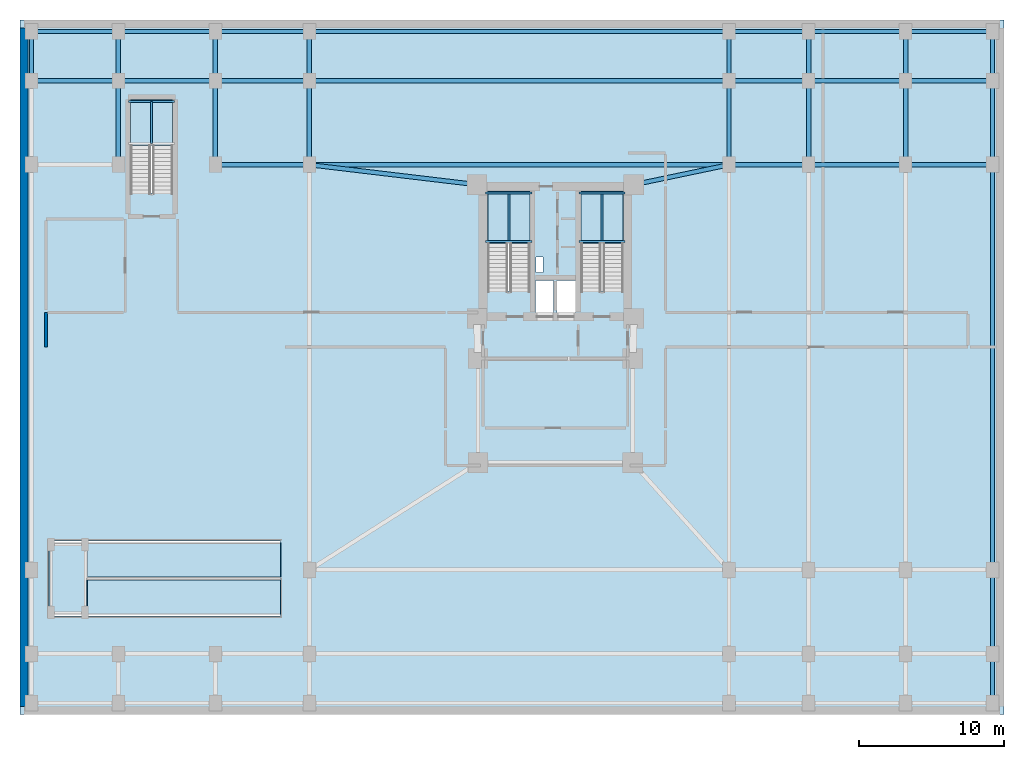
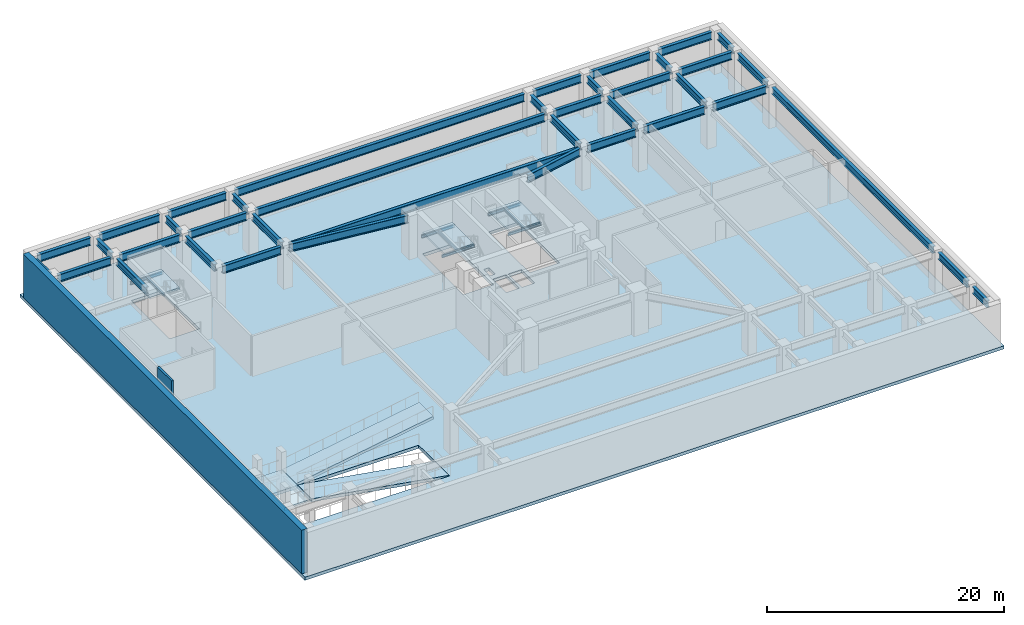
# One storey, part 2 of 8: 47 beams, 7 slabs, 2 walls, 3 elements without a shape of their own.
"""IFC4 building model written with IfcOpenShell, lengths in metres."""

import ifcopenshell
import ifcopenshell.guid

model = None  # the IFC model being written
_history = None  # IfcOwnerHistory: only IFC2X3 demands one
_inside = {}  # id of a spatial element -> (the spatial element, [elements in it])
_under = {}  # id of a project, library or spatial element -> (it, [spatial elements below it])
_declared = {}  # id of a project -> (the project, [libraries it declares])
_typed = {}  # id of a type object -> (the type object, [elements of that type])
_made_of = {}  # id of a material, layer set ... -> (it, [elements and type objects made of it])


def new_model(schema):
    """Start an empty IFC model of exactly this schema.

    Asked for "IFC4X3", IfcOpenShell would pick the latest addendum, in which some entities
    have other attributes; the version numbers below select the first issue.
    IFC2X3 requires an IfcOwnerHistory on every rooted entity: one is made here for all.
    """
    global model, _history
    if schema == "IFC4X3":
        model = ifcopenshell.file(schema_version=(4, 3, 0, 0))
    else:
        model = ifcopenshell.file(schema=schema)
    _inside.clear()
    _under.clear()
    _declared.clear()
    _typed.clear()
    _made_of.clear()
    _history = None
    if model.schema == "IFC2X3":
        org = make("IfcOrganization", Name="unknown")
        user = make(
            "IfcPersonAndOrganization",
            ThePerson=make("IfcPerson", FamilyName="unknown"),
            TheOrganization=org,
        )
        app = make(
            "IfcApplication",
            ApplicationDeveloper=org,
            Version="unknown",
            ApplicationFullName="unknown",
            ApplicationIdentifier="unknown",
        )
        _history = make(
            "IfcOwnerHistory",
            OwningUser=user,
            OwningApplication=app,
            ChangeAction="ADDED",
            CreationDate=0,
        )
    return model


def make(cls, **values):
    """One entity of the class cls with the attributes given. An attribute that is None is left unset."""
    return model.create_entity(
        cls, **{name: value for name, value in values.items() if value is not None}
    )


def rooted(cls, **values):
    """An entity with a GlobalId (a new one), such as an element, a storey or a relation."""
    return make(cls, GlobalId=ifcopenshell.guid.new(), OwnerHistory=_history, **values)


def si_unit(unit_type, name, prefix=None):
    """IfcSIUnit, for example si_unit("LENGTHUNIT", "METRE", prefix="MILLI")."""
    return make("IfcSIUnit", UnitType=unit_type, Prefix=prefix, Name=name)


def assignment(units):
    """IfcUnitAssignment: the units of a project."""
    return None if units is None else make("IfcUnitAssignment", Units=units)


def point(xyz):
    """IfcCartesianPoint."""
    return None if xyz is None else make("IfcCartesianPoint", Coordinates=xyz)


def direction(xyz):
    """IfcDirection."""
    return None if xyz is None else make("IfcDirection", DirectionRatios=xyz)


def frame(location, z_axis=None, x_axis=None):
    """IfcAxis2Placement3D, a coordinate frame: its origin and axes. An axis left out is left unset."""
    return make(
        "IfcAxis2Placement3D",
        Location=point(location),
        Axis=direction(z_axis),
        RefDirection=direction(x_axis),
    )


def frame_2d(location, x_axis=None):
    """IfcAxis2Placement2D, a coordinate frame in the plane: its origin and x axis."""
    return make(
        "IfcAxis2Placement2D", Location=point(location), RefDirection=direction(x_axis)
    )


def origin():
    """The frame at (0, 0, 0) with its axes left unset."""
    return frame((0.0, 0.0, 0.0))


def origin_2d():
    """The frame at (0, 0) in the plane with its x axis left unset."""
    return frame_2d((0.0, 0.0))


def place(relative_to, where):
    """IfcLocalPlacement: puts the frame where relative to a parent placement (None: the world)."""
    return make(
        "IfcLocalPlacement", PlacementRelTo=relative_to, RelativePlacement=where
    )


def context(
    kind, dimensions, precision=None, world=None, true_north=None, identifier=None
):
    """IfcGeometricRepresentationContext, for example the 3D "Model" context."""
    return make(
        "IfcGeometricRepresentationContext",
        ContextIdentifier=identifier,
        ContextType=kind,
        CoordinateSpaceDimension=dimensions,
        Precision=precision,
        WorldCoordinateSystem=world,
        TrueNorth=true_north,
    )


def subcontext(parent, identifier, kind, view, scale=None):
    """IfcGeometricRepresentationSubContext, for example "Body" below "Model"."""
    return make(
        "IfcGeometricRepresentationSubContext",
        ContextIdentifier=identifier,
        ContextType=kind,
        ParentContext=parent,
        TargetScale=scale,
        TargetView=view,
    )


def project(units=None, contexts=None):
    """IfcProject with its units and contexts."""
    return rooted(
        "IfcProject",
        Name="project",
        RepresentationContexts=contexts,
        UnitsInContext=assignment(units),
    )


def spatial(cls, under=None, at=None, **own):
    """A site, building, storey or space (cls), placed at a placement, below another one or the project."""
    s = rooted(cls, ObjectPlacement=at, **own)
    if under is not None:
        _under.setdefault(under.id(), (under, []))[1].append(s)
    return s


def polyline(points):
    """IfcPolyline through the points."""
    return make("IfcPolyline", Points=[point(p) for p in points])


def profile(cls, at=None, kind="AREA", **sizes):
    """A parametric profile (cls). Its sizes go by their IFC names, for example OverallWidth=200.0."""
    return make(cls, ProfileType=kind, Position=at, **sizes)


def rectangle(**sizes):
    """IfcRectangleProfileDef."""
    return profile("IfcRectangleProfileDef", **sizes)


def i_section(**sizes):
    """IfcIShapeProfileDef."""
    return profile("IfcIShapeProfileDef", **sizes)


def outline(outer, holes=None, kind="AREA"):
    """IfcArbitraryClosedProfileDef: a profile drawn as a closed curve; with holes, ...WithVoids."""
    if holes is None:
        return make("IfcArbitraryClosedProfileDef", ProfileType=kind, OuterCurve=outer)
    return make(
        "IfcArbitraryProfileDefWithVoids",
        ProfileType=kind,
        OuterCurve=outer,
        InnerCurves=holes,
    )


def extrude(swept, where, along, depth):
    """IfcExtrudedAreaSolid: the profile swept, set in the frame where, extruded along a direction by depth."""
    return make(
        "IfcExtrudedAreaSolid",
        SweptArea=swept,
        Position=where,
        ExtrudedDirection=direction(along),
        Depth=depth,
    )


def shape(context_of_items, identifier, shape_type, items):
    """IfcShapeRepresentation: the items that make up one representation, for example the "Body"."""
    return make(
        "IfcShapeRepresentation",
        ContextOfItems=context_of_items,
        RepresentationIdentifier=identifier,
        RepresentationType=shape_type,
        Items=items,
    )


def material(Name=None, Category=None):
    """IfcMaterial."""
    return make("IfcMaterial", Name=Name, Category=Category)


def layer(
    of_material, thickness, ventilated=None, Name=None, Category=None, Priority=None
):
    """IfcMaterialLayer: one layer of a wall or slab, of a material (None: an air gap)."""
    return make(
        "IfcMaterialLayer",
        Material=of_material,
        LayerThickness=thickness,
        IsVentilated=ventilated,
        Name=Name,
        Category=Category,
        Priority=Priority,
    )


def layer_set(layers, Name=None):
    """IfcMaterialLayerSet."""
    return make("IfcMaterialLayerSet", MaterialLayers=layers, LayerSetName=Name)


def material_profile(
    of_material, cross_section, Name=None, Category=None, Priority=None
):
    """IfcMaterialProfile: a cross section and its material."""
    return make(
        "IfcMaterialProfile",
        Name=Name,
        Material=of_material,
        Profile=cross_section,
        Priority=Priority,
        Category=Category,
    )


def profile_set(profiles, Name=None, composite=None):
    """IfcMaterialProfileSet."""
    return make(
        "IfcMaterialProfileSet",
        Name=Name,
        MaterialProfiles=profiles,
        CompositeProfile=composite,
    )


def made_of(thing, what):
    """Note that an element or type object is made of a material, layer set ...; save() writes the relation."""
    if what is not None:
        _made_of.setdefault(what.id(), (what, []))[1].append(thing)
    return thing


def type_object(cls, material=None, **own):
    """A type object (cls), such as IfcWallType, which elements share."""
    return made_of(rooted(cls, **own), material)


def element(
    cls,
    number,
    at=None,
    inside=None,
    cuts=None,
    type_object=None,
    material=None,
    context=None,
    identifier="Body",
    shape_type=None,
    held_by="IfcProductDefinitionShape",
    body=None,
    shapes=None,
    **own,
):
    """One element of the class cls, such as IfcWall. Its Tag is "e" and its number.

    at: its placement. inside: the storey or other place that contains it. cuts: it is an
    opening in that element (IfcRelVoidsElement). A single representation is given by context,
    identifier, shape_type and body (its items); several are given by shapes. held_by: the class
    of the entity that holds the representations. save() writes the other relations.
    """
    e = rooted(cls, Tag="e%d" % number, ObjectPlacement=at, **own)
    if body is not None:
        shapes = [shape(context, identifier, shape_type, body)]
    if shapes is not None:
        e.Representation = make(held_by, Representations=shapes)
    if inside is not None:
        _inside.setdefault(inside.id(), (inside, []))[1].append(e)
    if cuts is not None:
        rooted(
            "IfcRelVoidsElement", RelatingBuildingElement=cuts, RelatedOpeningElement=e
        )
    if type_object is not None:
        _typed.setdefault(type_object.id(), (type_object, []))[1].append(e)
    return made_of(e, material)


def aggregate(whole, parts):
    """IfcRelAggregates: a whole, such as a stair, and the parts it consists of."""
    return rooted("IfcRelAggregates", RelatingObject=whole, RelatedObjects=parts)


def save(model, path):
    """Write the relations noted so far, then the file.

    IfcRelAggregates (storeys below a building ...), IfcRelContainedInSpatialStructure (elements
    in a storey), IfcRelDefinesByType, IfcRelAssociatesMaterial and IfcRelDeclares: one each for
    every whole, place, type object, material and project.
    """
    for whole, parts in _under.values():
        aggregate(whole, parts)
    for where, things in _inside.values():
        rooted(
            "IfcRelContainedInSpatialStructure",
            RelatedElements=things,
            RelatingStructure=where,
        )
    for kind, things in _typed.values():
        rooted("IfcRelDefinesByType", RelatedObjects=things, RelatingType=kind)
    for what, things in _made_of.values():
        rooted("IfcRelAssociatesMaterial", RelatedObjects=things, RelatingMaterial=what)
    for by, libraries in _declared.values():
        rooted("IfcRelDeclares", RelatingContext=by, RelatedDefinitions=libraries)
    model.write(path)


model = new_model("IFC4")

# Units and contexts
model_context = context("Model", 3, precision=1e-05, world=origin(), true_north=direction((0.0, 1.0)))
body_context = subcontext(model_context, "Body", "Model", "MODEL_VIEW")
ifc_project = project(units=[si_unit("LENGTHUNIT", "METRE"), si_unit("AREAUNIT", "SQUARE_METRE"), si_unit("VOLUMEUNIT", "CUBIC_METRE"), si_unit("PLANEANGLEUNIT", "RADIAN"), si_unit("MASSUNIT", "GRAM", prefix="KILO")], contexts=[model_context])

# Site, building, storey
site_placement = place(None, origin())
site = spatial("IfcSite", under=ifc_project, at=site_placement, CompositionType="ELEMENT")
building_placement = place(site_placement, origin())
building = spatial("IfcBuilding", under=site, at=building_placement, Name="Varnakorn Sky Granary", CompositionType="ELEMENT")
storey_placement = place(building_placement, frame((0.0, 0.0, -4.5)))
storey = spatial("IfcBuildingStorey", under=building, at=storey_placement, Name="B01", CompositionType="ELEMENT", Elevation=-4.5)

# Beams
ifc_material_1 = material(Name="Steel S355JR", Category="steel")
ifc_material_profile_1 = material_profile(ifc_material_1, i_section(OverallWidth=0.135009765625, OverallDepth=0.27001953125, WebThickness=0.006591796875, FlangeThickness=0.01025390625, at=origin_2d()), Name="IPE 270")
ifc_profile_set_1 = profile_set([ifc_material_profile_1], Name="Steel S355JR")
beam_type_1 = type_object("IfcBeamType", Name="BM-LND-270", PredefinedType="BEAM", material=ifc_profile_set_1)
for number, where, z_axis, x_axis, name in (
    (1, (-1.820068359375, 8.679931640625, 1.9150390625), (1.0, 0.0, 0.0), (0.0, 1.0, 0.0), "Stair ST-1 Landing Trimmer Beam A B01-1"),
    (2, (-1.820068359375, 12.06005859375, 1.9150390625), (1.0, 0.0, 0.0), (0.0, 1.0, 0.0), "Stair ST-1 Landing Trimmer Beam B B01-1"),
):
    element("IfcBeam", number, at=place(storey_placement, frame(where, z_axis=z_axis, x_axis=x_axis)), inside=storey, type_object=beam_type_1, Name=name, PredefinedType="BEAM", context=body_context, shape_type="SweptSolid", body=[
        extrude(i_section(OverallWidth=0.135009765625, OverallDepth=0.27001953125, WebThickness=0.006591796875, FlangeThickness=0.01025390625, at=origin_2d()), origin(), (0.0, 0.0, 1.0), 3.199951171875),
    ])
beam_1_placement = place(storey_placement, frame((-0.219970703125, 8.679931640625, 1.9150390625), z_axis=(0.0, 1.0, 0.0), x_axis=(-1.0, 0.0, 0.0)))
element("IfcBeam", 3, at=beam_1_placement, inside=storey, type_object=beam_type_1, Name="Stair ST-1 Landing Cross Beam C B01-1", PredefinedType="BEAM", context=body_context, shape_type="SweptSolid", body=[
    extrude(i_section(OverallWidth=0.135009765625, OverallDepth=0.27001953125, WebThickness=0.006591796875, FlangeThickness=0.01025390625, at=origin_2d()), origin(), (0.0, 0.0, 1.0), 3.380126953125),
])
for number, where, z_axis, x_axis, name in (
    (4, (4.6201171875, 8.679931640625, 1.9150390625), (1.0, 0.0, 0.0), (0.0, 1.0, 0.0), "Stair ST-2 Landing Trimmer Beam A B01-1"),
    (5, (4.6201171875, 12.06005859375, 1.9150390625), (1.0, 0.0, 0.0), (0.0, 1.0, 0.0), "Stair ST-2 Landing Trimmer Beam B B01-1"),
):
    element("IfcBeam", number, at=place(storey_placement, frame(where, z_axis=z_axis, x_axis=x_axis)), inside=storey, type_object=beam_type_1, Name=name, PredefinedType="BEAM", context=body_context, shape_type="SweptSolid", body=[
        extrude(i_section(OverallWidth=0.135009765625, OverallDepth=0.27001953125, WebThickness=0.006591796875, FlangeThickness=0.01025390625, at=origin_2d()), origin(), (0.0, 0.0, 1.0), 3.199951171875),
    ])
beam_2_placement = place(storey_placement, frame((6.219970703125, 8.679931640625, 1.9150390625), z_axis=(0.0, 1.0, 0.0), x_axis=(-1.0, 0.0, 0.0)))
element("IfcBeam", 6, at=beam_2_placement, inside=storey, type_object=beam_type_1, Name="Stair ST-2 Landing Cross Beam C B01-1", PredefinedType="BEAM", context=body_context, shape_type="SweptSolid", body=[
    extrude(i_section(OverallWidth=0.135009765625, OverallDepth=0.27001953125, WebThickness=0.006591796875, FlangeThickness=0.01025390625, at=origin_2d()), origin(), (0.0, 0.0, 1.0), 3.380126953125),
])
beam_3_placement = place(storey_placement, frame((-26.5, 18.3798828125, 1.9150390625), z_axis=(1.0, 0.0, 0.0), x_axis=(0.0, 1.0, 0.0)))
element("IfcBeam", 7, at=beam_3_placement, inside=storey, type_object=beam_type_1, Name="Stair ST-B3 Landing Trimmer Beam B B01-1", PredefinedType="BEAM", context=body_context, shape_type="SweptSolid", body=[
    extrude(i_section(OverallWidth=0.135009765625, OverallDepth=0.27001953125, WebThickness=0.006591796875, FlangeThickness=0.01025390625, at=origin_2d()), origin(), (0.0, 0.0, 1.0), 3.179931640625),
])
beam_4_placement = place(storey_placement, frame((-24.909912109375, 15.4599609375, 1.9150390625), z_axis=(0.0, 1.0, 0.0), x_axis=(-1.0, 0.0, 0.0)))
element("IfcBeam", 8, at=beam_4_placement, inside=storey, type_object=beam_type_1, Name="Stair ST-B3 Landing Cross Beam C B01-1", PredefinedType="BEAM", context=body_context, shape_type="SweptSolid", body=[
    extrude(i_section(OverallWidth=0.135009765625, OverallDepth=0.27001953125, WebThickness=0.006591796875, FlangeThickness=0.01025390625, at=origin_2d()), origin(), (0.0, 0.0, 1.0), 2.919921875),
])
ifc_material_profile_2 = material_profile(ifc_material_1, i_section(OverallWidth=0.300048828125, OverallDepth=0.699951171875, WebThickness=0.01708984375, FlangeThickness=0.031982421875, at=origin_2d()), Name="HE 700 B")
ifc_profile_set_2 = profile_set([ifc_material_profile_2], Name="Steel S355JR")
beam_type_2 = type_object("IfcBeamType", Name="BM-PG-700", PredefinedType="T_BEAM", material=ifc_profile_set_2)
beam_5_placement = place(storey_placement, frame((-33.199951171875, 20.219970703125, 3.830078125), z_axis=(0.0, 1.0, 0.0), x_axis=(-1.0, 0.0, 0.0)))
element("IfcBeam", 9, at=beam_5_placement, inside=storey, type_object=beam_type_2, Name="Podium Y-Girder GY43 B01", PredefinedType="T_BEAM", context=body_context, shape_type="SweptSolid", body=[
    extrude(i_section(OverallWidth=0.300048828125, OverallDepth=0.699951171875, WebThickness=0.01708984375, FlangeThickness=0.031982421875, at=origin_2d()), origin(), (0.0, 0.0, 1.0), 2.56005859375),
])
beam_6_placement = place(storey_placement, frame((-27.199951171875, 14.419921875, 3.830078125), z_axis=(0.0, 1.0, 0.0), x_axis=(-1.0, 0.0, 0.0)))
element("IfcBeam", 10, at=beam_6_placement, inside=storey, type_object=beam_type_2, Name="Podium Y-Girder GY45 B01", PredefinedType="T_BEAM", context=body_context, shape_type="SweptSolid", body=[
    extrude(i_section(OverallWidth=0.300048828125, OverallDepth=0.699951171875, WebThickness=0.01708984375, FlangeThickness=0.031982421875, at=origin_2d()), origin(), (0.0, 0.0, 1.0), 4.9599609375),
])
beam_7_placement = place(storey_placement, frame((-27.199951171875, 20.219970703125, 3.830078125), z_axis=(0.0, 1.0, 0.0), x_axis=(-1.0, 0.0, 0.0)))
element("IfcBeam", 11, at=beam_7_placement, inside=storey, type_object=beam_type_2, Name="Podium Y-Girder GY46 B01", PredefinedType="T_BEAM", context=body_context, shape_type="SweptSolid", body=[
    extrude(i_section(OverallWidth=0.300048828125, OverallDepth=0.699951171875, WebThickness=0.01708984375, FlangeThickness=0.031982421875, at=origin_2d()), origin(), (0.0, 0.0, 1.0), 2.56005859375),
])
beam_8_placement = place(storey_placement, frame((-20.5, 14.419921875, 3.830078125), z_axis=(0.0, 1.0, 0.0), x_axis=(-1.0, 0.0, 0.0)))
element("IfcBeam", 12, at=beam_8_placement, inside=storey, type_object=beam_type_2, Name="Podium Y-Girder GY48 B01", PredefinedType="T_BEAM", context=body_context, shape_type="SweptSolid", body=[
    extrude(i_section(OverallWidth=0.300048828125, OverallDepth=0.699951171875, WebThickness=0.01708984375, FlangeThickness=0.031982421875, at=origin_2d()), origin(), (0.0, 0.0, 1.0), 4.9599609375),
])
beam_9_placement = place(storey_placement, frame((-20.5, 20.219970703125, 3.830078125), z_axis=(0.0, 1.0, 0.0), x_axis=(-1.0, 0.0, 0.0)))
element("IfcBeam", 13, at=beam_9_placement, inside=storey, type_object=beam_type_2, Name="Podium Y-Girder GY49 B01", PredefinedType="T_BEAM", context=body_context, shape_type="SweptSolid", body=[
    extrude(i_section(OverallWidth=0.300048828125, OverallDepth=0.699951171875, WebThickness=0.01708984375, FlangeThickness=0.031982421875, at=origin_2d()), origin(), (0.0, 0.0, 1.0), 2.56005859375),
])
beam_10_placement = place(storey_placement, frame((-14.0, 14.419921875, 3.830078125), z_axis=(0.0, 1.0, 0.0), x_axis=(-1.0, 0.0, 0.0)))
element("IfcBeam", 14, at=beam_10_placement, inside=storey, type_object=beam_type_2, Name="Podium Y-Girder GY53 B01", PredefinedType="T_BEAM", context=body_context, shape_type="SweptSolid", body=[
    extrude(i_section(OverallWidth=0.300048828125, OverallDepth=0.699951171875, WebThickness=0.01708984375, FlangeThickness=0.031982421875, at=origin_2d()), origin(), (0.0, 0.0, 1.0), 4.9599609375),
])
beam_11_placement = place(storey_placement, frame((-14.0, 20.219970703125, 3.830078125), z_axis=(0.0, 1.0, 0.0), x_axis=(-1.0, 0.0, 0.0)))
element("IfcBeam", 15, at=beam_11_placement, inside=storey, type_object=beam_type_2, Name="Podium Y-Girder GY54 B01", PredefinedType="T_BEAM", context=body_context, shape_type="SweptSolid", body=[
    extrude(i_section(OverallWidth=0.300048828125, OverallDepth=0.699951171875, WebThickness=0.01708984375, FlangeThickness=0.031982421875, at=origin_2d()), origin(), (0.0, 0.0, 1.0), 2.56005859375),
])
beam_12_placement = place(storey_placement, frame((15.0, 14.419921875, 3.830078125), z_axis=(0.0, 1.0, 0.0), x_axis=(-1.0, 0.0, 0.0)))
element("IfcBeam", 16, at=beam_12_placement, inside=storey, type_object=beam_type_2, Name="Podium Y-Girder GY58 B01", PredefinedType="T_BEAM", context=body_context, shape_type="SweptSolid", body=[
    extrude(i_section(OverallWidth=0.300048828125, OverallDepth=0.699951171875, WebThickness=0.01708984375, FlangeThickness=0.031982421875, at=origin_2d()), origin(), (0.0, 0.0, 1.0), 4.9599609375),
])
beam_13_placement = place(storey_placement, frame((15.0, 20.219970703125, 3.830078125), z_axis=(0.0, 1.0, 0.0), x_axis=(-1.0, 0.0, 0.0)))
element("IfcBeam", 17, at=beam_13_placement, inside=storey, type_object=beam_type_2, Name="Podium Y-Girder GY59 B01", PredefinedType="T_BEAM", context=body_context, shape_type="SweptSolid", body=[
    extrude(i_section(OverallWidth=0.300048828125, OverallDepth=0.699951171875, WebThickness=0.01708984375, FlangeThickness=0.031982421875, at=origin_2d()), origin(), (0.0, 0.0, 1.0), 2.56005859375),
])
beam_14_placement = place(storey_placement, frame((20.5, 14.419921875, 3.830078125), z_axis=(0.0, 1.0, 0.0), x_axis=(-1.0, 0.0, 0.0)))
element("IfcBeam", 18, at=beam_14_placement, inside=storey, type_object=beam_type_2, Name="Podium Y-Girder GY63 B01", PredefinedType="T_BEAM", context=body_context, shape_type="SweptSolid", body=[
    extrude(i_section(OverallWidth=0.300048828125, OverallDepth=0.699951171875, WebThickness=0.01708984375, FlangeThickness=0.031982421875, at=origin_2d()), origin(), (0.0, 0.0, 1.0), 4.9599609375),
])
beam_15_placement = place(storey_placement, frame((20.5, 20.219970703125, 3.830078125), z_axis=(0.0, 1.0, 0.0), x_axis=(-1.0, 0.0, 0.0)))
element("IfcBeam", 19, at=beam_15_placement, inside=storey, type_object=beam_type_2, Name="Podium Y-Girder GY64 B01", PredefinedType="T_BEAM", context=body_context, shape_type="SweptSolid", body=[
    extrude(i_section(OverallWidth=0.300048828125, OverallDepth=0.699951171875, WebThickness=0.01708984375, FlangeThickness=0.031982421875, at=origin_2d()), origin(), (0.0, 0.0, 1.0), 2.56005859375),
])
beam_16_placement = place(storey_placement, frame((27.199951171875, 14.419921875, 3.830078125), z_axis=(0.0, 1.0, 0.0), x_axis=(-1.0, 0.0, 0.0)))
element("IfcBeam", 20, at=beam_16_placement, inside=storey, type_object=beam_type_2, Name="Podium Y-Girder GY68 B01", PredefinedType="T_BEAM", context=body_context, shape_type="SweptSolid", body=[
    extrude(i_section(OverallWidth=0.300048828125, OverallDepth=0.699951171875, WebThickness=0.01708984375, FlangeThickness=0.031982421875, at=origin_2d()), origin(), (0.0, 0.0, 1.0), 4.9599609375),
])
for number, where, z_axis, x_axis, name in (
    (21, (27.199951171875, 20.219970703125, 3.830078125), (0.0, 1.0, 0.0), (-1.0, 0.0, 0.0), "Podium Y-Girder GY69 B01"),
    (22, (33.199951171875, -22.780029296875, 3.830078125), (0.0, 1.0, 0.0), (-1.0, 0.0, 0.0), "Podium Y-Girder GY70 B01"),
):
    element("IfcBeam", number, at=place(storey_placement, frame(where, z_axis=z_axis, x_axis=x_axis)), inside=storey, type_object=beam_type_2, Name=name, PredefinedType="T_BEAM", context=body_context, shape_type="SweptSolid", body=[
        extrude(i_section(OverallWidth=0.300048828125, OverallDepth=0.699951171875, WebThickness=0.01708984375, FlangeThickness=0.031982421875, at=origin_2d()), origin(), (0.0, 0.0, 1.0), 2.56005859375),
    ])
beam_17_placement = place(storey_placement, frame((33.199951171875, -19.3798828125, 3.830078125), z_axis=(0.0, 1.0, 0.0), x_axis=(-1.0, 0.0, 0.0)))
element("IfcBeam", 23, at=beam_17_placement, inside=storey, type_object=beam_type_2, Name="Podium Y-Girder GY71 B01", PredefinedType="T_BEAM", context=body_context, shape_type="SweptSolid", body=[
    extrude(i_section(OverallWidth=0.300048828125, OverallDepth=0.699951171875, WebThickness=0.01708984375, FlangeThickness=0.031982421875, at=origin_2d()), origin(), (0.0, 0.0, 1.0), 4.9599609375),
])
beam_18_placement = place(storey_placement, frame((33.199951171875, -13.580078125, 3.830078125), z_axis=(0.0, 1.0, 0.0), x_axis=(-1.0, 0.0, 0.0)))
element("IfcBeam", 24, at=beam_18_placement, inside=storey, type_object=beam_type_2, Name="Podium Y-Girder GY72 B01", PredefinedType="T_BEAM", context=body_context, shape_type="SweptSolid", body=[
    extrude(i_section(OverallWidth=0.300048828125, OverallDepth=0.699951171875, WebThickness=0.01708984375, FlangeThickness=0.031982421875, at=origin_2d()), origin(), (0.0, 0.0, 1.0), 27.16015625),
])
beam_19_placement = place(storey_placement, frame((33.199951171875, 14.419921875, 3.830078125), z_axis=(0.0, 1.0, 0.0), x_axis=(-1.0, 0.0, 0.0)))
element("IfcBeam", 25, at=beam_19_placement, inside=storey, type_object=beam_type_2, Name="Podium Y-Girder GY73 B01", PredefinedType="T_BEAM", context=body_context, shape_type="SweptSolid", body=[
    extrude(i_section(OverallWidth=0.300048828125, OverallDepth=0.699951171875, WebThickness=0.01708984375, FlangeThickness=0.031982421875, at=origin_2d()), origin(), (0.0, 0.0, 1.0), 4.9599609375),
])
beam_20_placement = place(storey_placement, frame((33.199951171875, 20.219970703125, 3.830078125), z_axis=(0.0, 1.0, 0.0), x_axis=(-1.0, 0.0, 0.0)))
element("IfcBeam", 26, at=beam_20_placement, inside=storey, type_object=beam_type_2, Name="Podium Y-Girder GY74 B01", PredefinedType="T_BEAM", context=body_context, shape_type="SweptSolid", body=[
    extrude(i_section(OverallWidth=0.300048828125, OverallDepth=0.699951171875, WebThickness=0.01708984375, FlangeThickness=0.031982421875, at=origin_2d()), origin(), (0.0, 0.0, 1.0), 2.56005859375),
])
ifc_material_profile_3 = material_profile(ifc_material_1, i_section(OverallWidth=0.300048828125, OverallDepth=0.800048828125, WebThickness=0.017578125, FlangeThickness=0.032958984375, at=origin_2d()), Name="HE 800 B")
ifc_profile_set_3 = profile_set([ifc_material_profile_3], Name="Steel S355JR")
beam_type_3 = type_object("IfcBeamType", Name="BM-PG-800", PredefinedType="BEAM", material=ifc_profile_set_3)
beam_21_placement = place(storey_placement, frame((-20.080078125, 14.0, 3.780029296875), z_axis=(1.0, 0.0, 0.0), x_axis=(0.0, 1.0, 0.0)))
element("IfcBeam", 27, at=beam_21_placement, inside=storey, type_object=beam_type_3, Name="Podium X-Girder GX20 B01", PredefinedType="BEAM", context=body_context, shape_type="SweptSolid", body=[
    extrude(i_section(OverallWidth=0.300048828125, OverallDepth=0.800048828125, WebThickness=0.017578125, FlangeThickness=0.032958984375, at=origin_2d()), origin(), (0.0, 0.0, 1.0), 5.66015625),
])
beam_22_placement = place(storey_placement, frame((-13.580078125, 14.0, 3.780029296875), z_axis=(1.0, 0.0, 0.0), x_axis=(0.0, 1.0, 0.0)))
element("IfcBeam", 28, at=beam_22_placement, inside=storey, type_object=beam_type_3, Name="Podium X-Girder GX21 B01", PredefinedType="BEAM", context=body_context, shape_type="SweptSolid", body=[
    extrude(i_section(OverallWidth=0.300048828125, OverallDepth=0.800048828125, WebThickness=0.017578125, FlangeThickness=0.032958984375, at=origin_2d()), origin(), (0.0, 0.0, 1.0), 28.16015625),
])
beam_23_placement = place(storey_placement, frame((15.419921875, 14.0, 3.780029296875), z_axis=(1.0, 0.0, 0.0), x_axis=(0.0, 1.0, 0.0)))
element("IfcBeam", 29, at=beam_23_placement, inside=storey, type_object=beam_type_3, Name="Podium X-Girder GX22 B01", PredefinedType="BEAM", context=body_context, shape_type="SweptSolid", body=[
    extrude(i_section(OverallWidth=0.300048828125, OverallDepth=0.800048828125, WebThickness=0.017578125, FlangeThickness=0.032958984375, at=origin_2d()), origin(), (0.0, 0.0, 1.0), 4.66015625),
])
beam_24_placement = place(storey_placement, frame((20.919921875, 14.0, 3.780029296875), z_axis=(1.0, 0.0, 0.0), x_axis=(0.0, 1.0, 0.0)))
element("IfcBeam", 30, at=beam_24_placement, inside=storey, type_object=beam_type_3, Name="Podium X-Girder GX23 B01", PredefinedType="BEAM", context=body_context, shape_type="SweptSolid", body=[
    extrude(i_section(OverallWidth=0.300048828125, OverallDepth=0.800048828125, WebThickness=0.017578125, FlangeThickness=0.032958984375, at=origin_2d()), origin(), (0.0, 0.0, 1.0), 5.860107421875),
])
for number, where, z_axis, x_axis, name in (
    (31, (27.6201171875, 14.0, 3.780029296875), (1.0, 0.0, 0.0), (0.0, 1.0, 0.0), "Podium X-Girder GX24 B01"),
    (32, (-32.780029296875, 19.800048828125, 3.780029296875), (1.0, 0.0, 0.0), (0.0, 1.0, 0.0), "Podium X-Girder GX25 B01"),
):
    element("IfcBeam", number, at=place(storey_placement, frame(where, z_axis=z_axis, x_axis=x_axis)), inside=storey, type_object=beam_type_3, Name=name, PredefinedType="BEAM", context=body_context, shape_type="SweptSolid", body=[
        extrude(i_section(OverallWidth=0.300048828125, OverallDepth=0.800048828125, WebThickness=0.017578125, FlangeThickness=0.032958984375, at=origin_2d()), origin(), (0.0, 0.0, 1.0), 5.159912109375),
    ])
beam_25_placement = place(storey_placement, frame((-26.780029296875, 19.800048828125, 3.780029296875), z_axis=(1.0, 0.0, 0.0), x_axis=(0.0, 1.0, 0.0)))
element("IfcBeam", 33, at=beam_25_placement, inside=storey, type_object=beam_type_3, Name="Podium X-Girder GX26 B01", PredefinedType="BEAM", context=body_context, shape_type="SweptSolid", body=[
    extrude(i_section(OverallWidth=0.300048828125, OverallDepth=0.800048828125, WebThickness=0.017578125, FlangeThickness=0.032958984375, at=origin_2d()), origin(), (0.0, 0.0, 1.0), 5.860107421875),
])
beam_26_placement = place(storey_placement, frame((-20.080078125, 19.800048828125, 3.780029296875), z_axis=(1.0, 0.0, 0.0), x_axis=(0.0, 1.0, 0.0)))
element("IfcBeam", 34, at=beam_26_placement, inside=storey, type_object=beam_type_3, Name="Podium X-Girder GX27 B01", PredefinedType="BEAM", context=body_context, shape_type="SweptSolid", body=[
    extrude(i_section(OverallWidth=0.300048828125, OverallDepth=0.800048828125, WebThickness=0.017578125, FlangeThickness=0.032958984375, at=origin_2d()), origin(), (0.0, 0.0, 1.0), 5.66015625),
])
beam_27_placement = place(storey_placement, frame((-13.580078125, 19.800048828125, 3.780029296875), z_axis=(1.0, 0.0, 0.0), x_axis=(0.0, 1.0, 0.0)))
element("IfcBeam", 35, at=beam_27_placement, inside=storey, type_object=beam_type_3, Name="Podium X-Girder GX28 B01", PredefinedType="BEAM", context=body_context, shape_type="SweptSolid", body=[
    extrude(i_section(OverallWidth=0.300048828125, OverallDepth=0.800048828125, WebThickness=0.017578125, FlangeThickness=0.032958984375, at=origin_2d()), origin(), (0.0, 0.0, 1.0), 28.16015625),
])
beam_28_placement = place(storey_placement, frame((15.419921875, 19.800048828125, 3.780029296875), z_axis=(1.0, 0.0, 0.0), x_axis=(0.0, 1.0, 0.0)))
element("IfcBeam", 36, at=beam_28_placement, inside=storey, type_object=beam_type_3, Name="Podium X-Girder GX29 B01", PredefinedType="BEAM", context=body_context, shape_type="SweptSolid", body=[
    extrude(i_section(OverallWidth=0.300048828125, OverallDepth=0.800048828125, WebThickness=0.017578125, FlangeThickness=0.032958984375, at=origin_2d()), origin(), (0.0, 0.0, 1.0), 4.66015625),
])
beam_29_placement = place(storey_placement, frame((20.919921875, 19.800048828125, 3.780029296875), z_axis=(1.0, 0.0, 0.0), x_axis=(0.0, 1.0, 0.0)))
element("IfcBeam", 37, at=beam_29_placement, inside=storey, type_object=beam_type_3, Name="Podium X-Girder GX30 B01", PredefinedType="BEAM", context=body_context, shape_type="SweptSolid", body=[
    extrude(i_section(OverallWidth=0.300048828125, OverallDepth=0.800048828125, WebThickness=0.017578125, FlangeThickness=0.032958984375, at=origin_2d()), origin(), (0.0, 0.0, 1.0), 5.860107421875),
])
for number, where, z_axis, x_axis, name in (
    (38, (27.6201171875, 19.800048828125, 3.780029296875), (1.0, 0.0, 0.0), (0.0, 1.0, 0.0), "Podium X-Girder GX31 B01"),
    (39, (-32.780029296875, 23.199951171875, 3.780029296875), (1.0, 0.0, 0.0), (0.0, 1.0, 0.0), "Podium X-Girder GX32 B01"),
):
    element("IfcBeam", number, at=place(storey_placement, frame(where, z_axis=z_axis, x_axis=x_axis)), inside=storey, type_object=beam_type_3, Name=name, PredefinedType="BEAM", context=body_context, shape_type="SweptSolid", body=[
        extrude(i_section(OverallWidth=0.300048828125, OverallDepth=0.800048828125, WebThickness=0.017578125, FlangeThickness=0.032958984375, at=origin_2d()), origin(), (0.0, 0.0, 1.0), 5.159912109375),
    ])
beam_30_placement = place(storey_placement, frame((-26.780029296875, 23.199951171875, 3.780029296875), z_axis=(1.0, 0.0, 0.0), x_axis=(0.0, 1.0, 0.0)))
element("IfcBeam", 40, at=beam_30_placement, inside=storey, type_object=beam_type_3, Name="Podium X-Girder GX33 B01", PredefinedType="BEAM", context=body_context, shape_type="SweptSolid", body=[
    extrude(i_section(OverallWidth=0.300048828125, OverallDepth=0.800048828125, WebThickness=0.017578125, FlangeThickness=0.032958984375, at=origin_2d()), origin(), (0.0, 0.0, 1.0), 5.860107421875),
])
beam_31_placement = place(storey_placement, frame((-20.080078125, 23.199951171875, 3.780029296875), z_axis=(1.0, 0.0, 0.0), x_axis=(0.0, 1.0, 0.0)))
element("IfcBeam", 41, at=beam_31_placement, inside=storey, type_object=beam_type_3, Name="Podium X-Girder GX34 B01", PredefinedType="BEAM", context=body_context, shape_type="SweptSolid", body=[
    extrude(i_section(OverallWidth=0.300048828125, OverallDepth=0.800048828125, WebThickness=0.017578125, FlangeThickness=0.032958984375, at=origin_2d()), origin(), (0.0, 0.0, 1.0), 5.66015625),
])
beam_32_placement = place(storey_placement, frame((-13.580078125, 23.199951171875, 3.780029296875), z_axis=(1.0, 0.0, 0.0), x_axis=(0.0, 1.0, 0.0)))
element("IfcBeam", 42, at=beam_32_placement, inside=storey, type_object=beam_type_3, Name="Podium X-Girder GX35 B01", PredefinedType="BEAM", context=body_context, shape_type="SweptSolid", body=[
    extrude(i_section(OverallWidth=0.300048828125, OverallDepth=0.800048828125, WebThickness=0.017578125, FlangeThickness=0.032958984375, at=origin_2d()), origin(), (0.0, 0.0, 1.0), 28.16015625),
])
beam_33_placement = place(storey_placement, frame((15.419921875, 23.199951171875, 3.780029296875), z_axis=(1.0, 0.0, 0.0), x_axis=(0.0, 1.0, 0.0)))
element("IfcBeam", 43, at=beam_33_placement, inside=storey, type_object=beam_type_3, Name="Podium X-Girder GX36 B01", PredefinedType="BEAM", context=body_context, shape_type="SweptSolid", body=[
    extrude(i_section(OverallWidth=0.300048828125, OverallDepth=0.800048828125, WebThickness=0.017578125, FlangeThickness=0.032958984375, at=origin_2d()), origin(), (0.0, 0.0, 1.0), 4.66015625),
])
beam_34_placement = place(storey_placement, frame((20.919921875, 23.199951171875, 3.780029296875), z_axis=(1.0, 0.0, 0.0), x_axis=(0.0, 1.0, 0.0)))
element("IfcBeam", 44, at=beam_34_placement, inside=storey, type_object=beam_type_3, Name="Podium X-Girder GX37 B01", PredefinedType="BEAM", context=body_context, shape_type="SweptSolid", body=[
    extrude(i_section(OverallWidth=0.300048828125, OverallDepth=0.800048828125, WebThickness=0.017578125, FlangeThickness=0.032958984375, at=origin_2d()), origin(), (0.0, 0.0, 1.0), 5.860107421875),
])
beam_35_placement = place(storey_placement, frame((27.6201171875, 23.199951171875, 3.780029296875), z_axis=(1.0, 0.0, 0.0), x_axis=(0.0, 1.0, 0.0)))
element("IfcBeam", 45, at=beam_35_placement, inside=storey, type_object=beam_type_3, Name="Podium X-Girder GX38 B01", PredefinedType="BEAM", context=body_context, shape_type="SweptSolid", body=[
    extrude(i_section(OverallWidth=0.300048828125, OverallDepth=0.800048828125, WebThickness=0.017578125, FlangeThickness=0.032958984375, at=origin_2d()), origin(), (0.0, 0.0, 1.0), 5.159912109375),
])
beam_36_placement = place(storey_placement, frame((-13.5830078125, 13.9501953125, 3.780029296875), z_axis=(0.992975027395, -0.118324109839, 0.0), x_axis=(0.118324109839, 0.992975027395, 0.0)))
element("IfcBeam", 46, at=beam_36_placement, inside=storey, type_object=beam_type_3, Name="Podium Core Tie Girder 1 B01", PredefinedType="BEAM", context=body_context, shape_type="SweptSolid", body=[
    extrude(i_section(OverallWidth=0.300048828125, OverallDepth=0.800048828125, WebThickness=0.017578125, FlangeThickness=0.032958984375, at=origin_2d()), origin(), (0.0, 0.0, 1.0), 10.822021484375),
])
beam_37_placement = place(storey_placement, frame((14.5888671875, 13.913818359375, 3.780029296875), z_axis=(-0.978708882908, -0.205253313045, 0.0), x_axis=(0.205253313045, -0.978708882908, 0.0)))
element("IfcBeam", 47, at=beam_37_placement, inside=storey, type_object=beam_type_3, Name="Podium Core Tie Girder 3 B01", PredefinedType="BEAM", context=body_context, shape_type="SweptSolid", body=[
    extrude(i_section(OverallWidth=0.300048828125, OverallDepth=0.800048828125, WebThickness=0.017578125, FlangeThickness=0.032958984375, at=origin_2d()), origin(), (0.0, 0.0, 1.0), 5.883056640625),
])

# Stair, slab
ifc_material_2 = material(Name="Concrete C40/50", Category="concrete")
stair_type = type_object("IfcStairType", Name="ST-MAIN-ASSEMBLY", PredefinedType="HALF_TURN_STAIR", material=ifc_material_2)
stair_1_placement = place(storey_placement, origin())
stair_1 = element("IfcStair", 48, at=stair_1_placement, inside=storey, type_object=stair_type, Name="B01 Protected Exit Stair ST-1", PredefinedType="HALF_TURN_STAIR")
ifc_layer_1 = layer(ifc_material_2, 0.199951171875, Name="Concrete C40/50")
ifc_layer_set_1 = layer_set([ifc_layer_1], Name="Concrete C40/50")
slab_type_1 = type_object("IfcSlabType", Name="ST-MAIN-LAND", PredefinedType="LANDING", material=ifc_layer_set_1)
slab_1_placement = place(storey_placement, frame((0.0, 0.0, 2.050048828125)))
slab_1 = element("IfcSlab", 49, at=slab_1_placement, type_object=slab_type_1, Name="ST-1 landing 1", PredefinedType="LANDING", context=body_context, shape_type="SweptSolid", body=[
    extrude(outline(polyline([(1.239990234375, 8.56005859375), (1.239990234375, 12.179931640625), (-1.669921875, 12.179931640625), (-1.669921875, 8.56005859375), (1.239990234375, 8.56005859375)])), origin(), (0.0, 0.0, 1.0), 0.199951171875),
])
aggregate(stair_1, [slab_1])

stair_2_placement = place(storey_placement, origin())
stair_2 = element("IfcStair", 50, at=stair_2_placement, inside=storey, type_object=stair_type, Name="B01 Protected Exit Stair ST-2", PredefinedType="HALF_TURN_STAIR")
slab_2_placement = place(storey_placement, frame((0.0, 0.0, 2.050048828125)))
slab_2 = element("IfcSlab", 51, at=slab_2_placement, type_object=slab_type_1, Name="ST-2 landing 1", PredefinedType="LANDING", context=body_context, shape_type="SweptSolid", body=[
    extrude(outline(polyline([(7.679931640625, 8.56005859375), (7.679931640625, 12.179931640625), (4.77001953125, 12.179931640625), (4.77001953125, 8.56005859375), (7.679931640625, 8.56005859375)])), origin(), (0.0, 0.0, 1.0), 0.199951171875),
])
aggregate(stair_2, [slab_2])

stair_3_placement = place(storey_placement, origin())
stair_3 = element("IfcStair", 52, at=stair_3_placement, inside=storey, type_object=stair_type, Name="B01 Podium and Basement Protected Exit Stair ST-B3", PredefinedType="HALF_TURN_STAIR")
slab_3_placement = place(storey_placement, frame((0.0, 0.0, 2.050048828125)))
slab_3 = element("IfcSlab", 53, at=slab_3_placement, type_object=slab_type_1, Name="ST-B3 landing 1", PredefinedType="LANDING", context=body_context, shape_type="SweptSolid", body=[
    extrude(outline(polyline([(-23.449951171875, 15.340087890625), (-23.449951171875, 18.5), (-26.360107421875, 18.5), (-26.360107421875, 15.340087890625), (-23.449951171875, 15.340087890625)])), origin(), (0.0, 0.0, 1.0), 0.199951171875),
])
aggregate(stair_3, [slab_3])

# Slabs
ifc_material_3 = material(Name="Concrete C50/60", Category="concrete")
ifc_layer_2 = layer(ifc_material_3, 0.320068359375, Name="Concrete C50/60")
ifc_layer_set_2 = layer_set([ifc_layer_2], Name="Concrete C50/60")
slab_type_2 = type_object("IfcSlabType", Name="ST-SL-POD-320", PredefinedType="FLOOR", material=ifc_layer_set_2)
slab_4_placement = place(storey_placement, frame((0.0, 0.0, -0.320068359375)))
element("IfcSlab", 54, at=slab_4_placement, inside=storey, type_object=slab_type_2, Name="Level B01 Structural Floor Slab", PredefinedType="FLOOR", context=body_context, shape_type="SweptSolid", body=[
    extrude(outline(polyline([(-34.0, -24.0), (34.0, -24.0), (34.0, 24.0), (-34.0, 24.0), (-34.0, -24.0)]), holes=[polyline([(1.239990234375, 5.27490234375), (1.239990234375, 12.179931640625), (-1.669921875, 12.179931640625), (-1.669921875, 5.27490234375), (1.239990234375, 5.27490234375)]), polyline([(7.679931640625, 5.27490234375), (7.679931640625, 12.179931640625), (4.77001953125, 12.179931640625), (4.77001953125, 5.27490234375), (7.679931640625, 5.27490234375)]), polyline([(-23.449951171875, 12.054931640625), (-23.449951171875, 18.5), (-26.360107421875, 18.5), (-26.360107421875, 12.054931640625), (-23.449951171875, 12.054931640625)]), polyline([(1.659912109375, 6.550048828125), (2.14990234375, 6.550048828125), (2.14990234375, 7.6201171875), (1.659912109375, 7.6201171875), (1.659912109375, 6.550048828125)]), polyline([(1.6201171875, 3.739990234375), (2.8798828125, 3.739990234375), (2.8798828125, 6.010009765625), (1.6201171875, 6.010009765625), (1.6201171875, 3.739990234375)]), polyline([(3.1201171875, 3.739990234375), (4.3798828125, 3.739990234375), (4.3798828125, 6.010009765625), (3.1201171875, 6.010009765625), (3.1201171875, 3.739990234375)]), polyline([(-32.0, -17.199951171875), (-16.0, -17.199951171875), (-16.0, -12.0), (-32.0, -12.0), (-32.0, -17.199951171875)])]), origin(), (0.0, 0.0, 1.0), 0.320068359375),
])
ifc_layer_3 = layer(ifc_material_3, 0.300048828125, Name="Concrete C50/60")
ifc_layer_set_3 = layer_set([ifc_layer_3], Name="Concrete C50/60")
slab_type_3 = type_object("IfcSlabType", Name="ST-SL-RMP-300", PredefinedType="FLOOR", material=ifc_layer_set_3)
slab_5_placement = place(storey_placement, frame((-16.0, -17.10009765625, 0.0), z_axis=(0.166315495764, 0.0, 0.986072591582), x_axis=(-0.986072591582, 0.0, 0.166315495764)))
element("IfcSlab", 55, at=slab_5_placement, inside=storey, type_object=slab_type_3, Name="Basement Structural Vehicle Ramp Lower Slab B01 to L00", PredefinedType="FLOOR", context=body_context, shape_type="SweptSolid", body=[
    extrude(outline(polyline([(0.0, 0.0), (13.528504903706091, 0.0), (13.528504903706091, -2.400146484375), (0.0, -2.400146484375), (0.0, 0.0)])), origin(), (0.0, 0.0, -1.0), 0.300048828125),
])
slab_6_placement = place(storey_placement, frame((0.0, 0.0, 1.949951171875)))
element("IfcSlab", 56, at=slab_6_placement, inside=storey, type_object=slab_type_3, Name="Basement Structural Vehicle Ramp Half-Landing Slab B01 to L00", PredefinedType="LANDING", context=body_context, shape_type="SweptSolid", body=[
    extrude(outline(polyline([(-31.97998046875, -17.10009765625), (-29.39990234375, -17.10009765625), (-29.39990234375, -12.10009765625), (-31.97998046875, -12.10009765625), (-31.97998046875, -17.10009765625)])), origin(), (0.0, 0.0, 1.0), 0.300048828125),
])
slab_7_placement = place(storey_placement, frame((-29.340087890625, -14.5, 2.25), z_axis=(-0.166315495764, 0.0, 0.986072591582), x_axis=(0.986072591582, 0.0, 0.166315495764)))
element("IfcSlab", 57, at=slab_7_placement, inside=storey, type_object=slab_type_3, Name="Basement Structural Vehicle Ramp Upper Slab B01 to L00", PredefinedType="FLOOR", context=body_context, shape_type="SweptSolid", body=[
    extrude(outline(polyline([(0.0, 0.0), (13.528504903706091, 0.0), (13.528504903706091, 2.39990234375), (0.0, 2.39990234375), (0.0, 0.0)])), origin(), (0.0, 0.0, -1.0), 0.300048828125),
])

# Walls
ifc_material_4 = material(Name="Autoclaved Aerated Concrete Blockwork", Category="masonry")
ifc_layer_4 = layer(ifc_material_4, 0.199951171875, Name="Autoclaved Aerated Concrete Blockwork")
ifc_layer_set_4 = layer_set([ifc_layer_4], Name="Autoclaved Aerated Concrete Blockwork")
wall_type_1 = type_object("IfcWallType", Name="WT-FIRE-200", PredefinedType="MOVABLE", material=ifc_layer_set_4)
wall_1_placement = place(storey_placement, frame((-32.199951171875, 3.800048828125, 0.0), z_axis=(0.0, 0.0, 1.0), x_axis=(0.0, -1.0, 0.0)))
element("IfcWall", 58, at=wall_1_placement, inside=storey, type_object=wall_type_1, Name="Interior Partition Wall B01-028", PredefinedType="MOVABLE", context=body_context, shape_type="SweptSolid", body=[
    extrude(rectangle(XDim=2.400146484375, YDim=0.199951171875, at=frame_2d((1.2001953125, 0.0))), origin(), (0.0, 0.0, 1.0), 4.179931640625),
])
ifc_layer_5 = layer(ifc_material_3, 0.550048828125, Name="Concrete C50/60")
ifc_layer_set_5 = layer_set([ifc_layer_5], Name="Concrete C50/60")
wall_type_2 = type_object("IfcWallType", Name="WT-RW-BSMT-550", PredefinedType="SOLIDWALL", material=ifc_layer_set_5)
wall_2_placement = place(storey_placement, frame((-33.72509765625, -23.43994140625, 0.0), z_axis=(0.0, 0.0, 1.0), x_axis=(0.0, 1.0, 0.0)))
element("IfcWall", 59, at=wall_2_placement, inside=storey, type_object=wall_type_2, Name="Basement Perimeter Retaining Wall B01-W", PredefinedType="SOLIDWALL", context=body_context, shape_type="SweptSolid", body=[
    extrude(rectangle(XDim=46.8798828125, YDim=0.550048828125, at=frame_2d((23.43994140625, 0.0))), origin(), (0.0, 0.0, 1.0), 4.491943359375),
])

save(model, "model.ifc")
